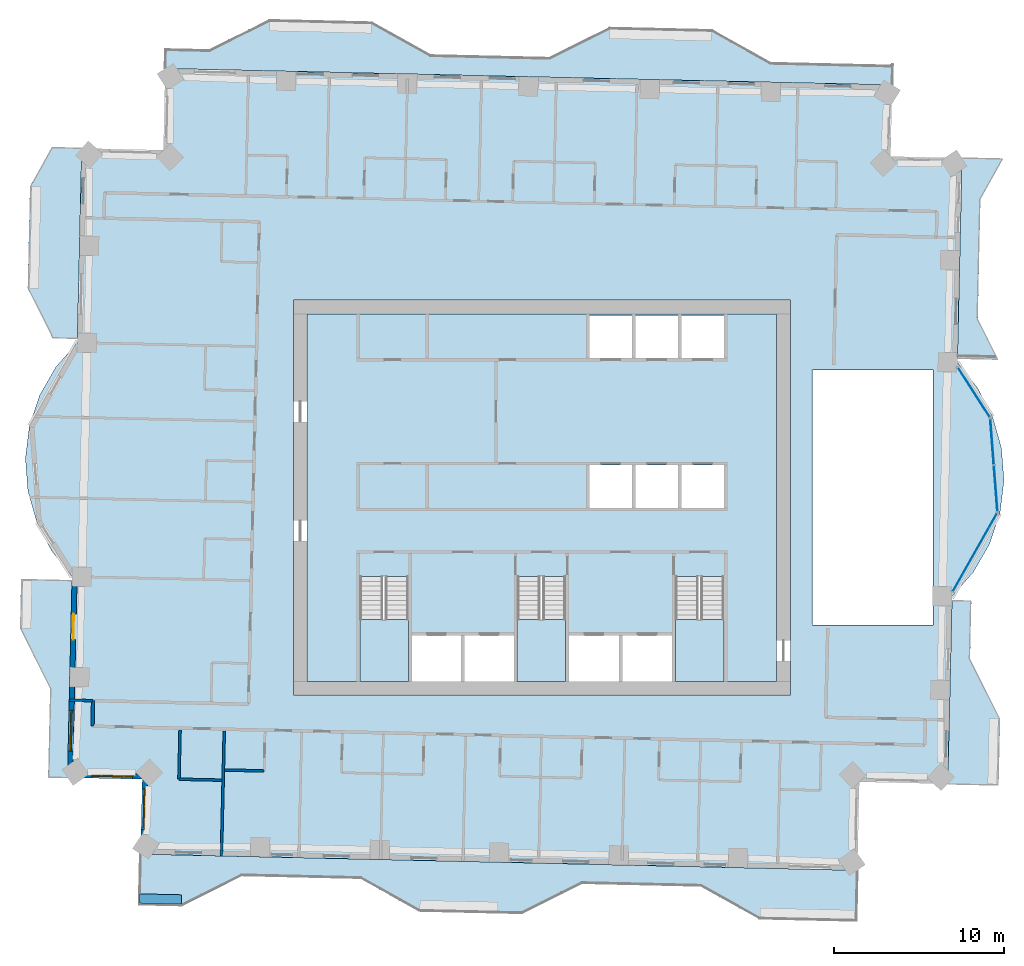
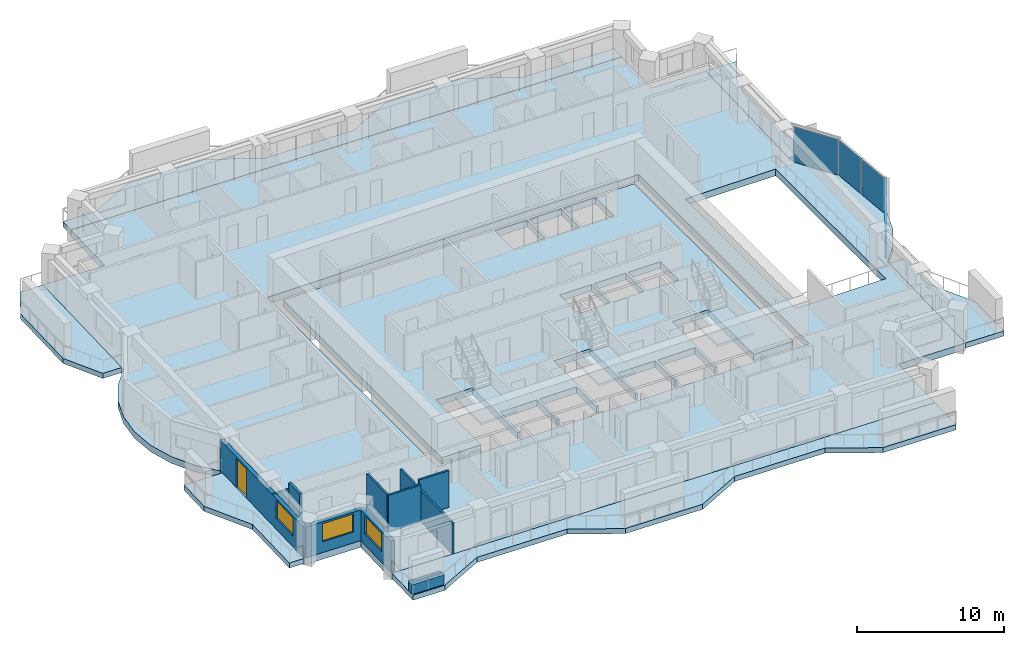
# One storey, part 5 of 16: 11 slabs, 10 walls, 4 plates, 3 windows, 1 door, 4 openings, 6 elements without a shape of their own.
"""IFC4 building model written with IfcOpenShell, lengths in metres."""

from ifc_helpers import new_model, si_unit, direction, frame, frame_2d, origin, origin_2d, place, context, subcontext, project, spatial, polyline, rectangle, outline, extrude, material, layer, layer_set, type_object, element, fill, aggregate, save


model = new_model("IFC4")

# Units and contexts
model_context = context("Model", 3, precision=1e-05, world=origin(), true_north=direction((0.0, 1.0)))
body_context = subcontext(model_context, "Body", "Model", "MODEL_VIEW")
ifc_project = project(units=[si_unit("LENGTHUNIT", "METRE"), si_unit("AREAUNIT", "SQUARE_METRE"), si_unit("VOLUMEUNIT", "CUBIC_METRE"), si_unit("PLANEANGLEUNIT", "RADIAN"), si_unit("MASSUNIT", "GRAM", prefix="KILO")], contexts=[model_context])

# Site, building, storey
site_placement = place(None, origin())
site = spatial("IfcSite", under=ifc_project, at=site_placement, CompositionType="ELEMENT")
building_placement = place(site_placement, origin())
building = spatial("IfcBuilding", under=site, at=building_placement, Name="Mangrove Gate Tower", CompositionType="ELEMENT")
storey_placement = place(building_placement, frame((0.0, 0.0, 201.5)))
storey = spatial("IfcBuildingStorey", under=building, at=storey_placement, Name="L51", CompositionType="ELEMENT", Elevation=201.5)

# Curtain wall, plate
ifc_material_1 = material(Name="Aluminium and glass curtain wall", Category="aluminium")
curtain_wall_type = type_object("IfcCurtainWallType", Name="Atrium garden-court glazing wall", PredefinedType="NOTDEFINED", material=ifc_material_1)
curtain_wall_1_placement = place(storey_placement, origin())
curtain_wall_1 = element("IfcCurtainWall", 1, at=curtain_wall_1_placement, inside=storey, type_object=curtain_wall_type, Name="Atrium garden-court glazing E1f1", PredefinedType="NOTDEFINED")
ifc_material_2 = material(Name="Laminated low-e glass", Category="glass")
ifc_layer_1 = layer(ifc_material_2, 0.031982421875)
ifc_layer_set_1 = layer_set([ifc_layer_1], Name="Atrium garden-court glazing panel 32")
plate_type = type_object("IfcPlateType", Name="Atrium garden-court glazing panel 32", PredefinedType="CURTAIN_PANEL", material=ifc_layer_set_1)
plate_1_placement = place(storey_placement, frame((25.4541015625, -3.217041015625, 0.0), z_axis=(0.0, 0.0, 1.0), x_axis=(0.492599932635, 0.870255885569, 0.0)))
plate_1 = element("IfcPlate", 2, at=plate_1_placement, type_object=plate_type, Name="CWA panel 1.1", PredefinedType="CURTAIN_PANEL", context=body_context, shape_type="SweptSolid", body=[
    extrude(rectangle(XDim=5.258544921875, YDim=0.031982421875, at=origin_2d()), origin(), (0.0, 0.0, 1.0), 2.97998046875),
])
aggregate(curtain_wall_1, [plate_1])

# Curtain wall, plates
curtain_wall_2_placement = place(storey_placement, origin())
curtain_wall_2 = element("IfcCurtainWall", 3, at=curtain_wall_2_placement, inside=storey, type_object=curtain_wall_type, Name="Atrium garden-court glazing E1f2", PredefinedType="NOTDEFINED")
plate_2_placement = place(storey_placement, frame((26.67529296875, 0.538818359375, 0.0), z_axis=(0.0, 0.0, 1.0), x_axis=(-0.077023348229, 0.997029289353, 0.0)))
plate_2 = element("IfcPlate", 4, at=plate_2_placement, type_object=plate_type, Name="CWA panel 1.1", PredefinedType="CURTAIN_PANEL", context=body_context, shape_type="SweptSolid", body=[
    extrude(rectangle(XDim=2.681640625, YDim=0.031982421875, at=origin_2d()), origin(), (0.0, 0.0, 1.0), 2.97998046875),
])
plate_3_placement = place(storey_placement, frame((26.463134765625, 3.2822265625, 0.0), z_axis=(0.0, 0.0, 1.0), x_axis=(-0.077023348229, 0.997029289353, 0.0)))
plate_3 = element("IfcPlate", 5, at=plate_3_placement, type_object=plate_type, Name="CWA panel 2.1", PredefinedType="CURTAIN_PANEL", context=body_context, shape_type="SweptSolid", body=[
    extrude(rectangle(XDim=2.681640625, YDim=0.031982421875, at=origin_2d()), origin(), (0.0, 0.0, 1.0), 2.97998046875),
])
aggregate(curtain_wall_2, [plate_2, plate_3])

# Curtain wall, plate
curtain_wall_3_placement = place(storey_placement, origin())
curtain_wall_3 = element("IfcCurtainWall", 6, at=curtain_wall_3_placement, inside=storey, type_object=curtain_wall_type, Name="Atrium garden-court glazing E1f3", PredefinedType="NOTDEFINED")
plate_4_placement = place(storey_placement, frame((25.389892578125, 6.190185546875, 0.0), z_axis=(0.0, 0.0, 1.0), x_axis=(-0.540523066602, 0.841329195067, 0.0)))
plate_4 = element("IfcPlate", 7, at=plate_4_placement, type_object=plate_type, Name="CWA panel 1.1", PredefinedType="CURTAIN_PANEL", context=body_context, shape_type="SweptSolid", body=[
    extrude(rectangle(XDim=3.428955078125, YDim=0.031982421875, at=origin_2d()), origin(), (0.0, 0.0, 1.0), 2.97998046875),
])
aggregate(curtain_wall_3, [plate_4])

# Slabs
ifc_material_3 = material(Name="Porcelain tile")
ifc_layer_2 = layer(ifc_material_3, 0.02001953125, Name="Tile finish")
ifc_material_4 = material(Name="Cement sand screed")
ifc_layer_3 = layer(ifc_material_4, 0.0400390625, Name="Screed laid to falls")
ifc_material_5 = material(Name="Bituminous waterproofing membrane")
ifc_layer_4 = layer(ifc_material_5, 0.00390625, Name="Waterproofing")
ifc_material_6 = material(Name="Concrete C40/50", Category="concrete")
ifc_layer_5 = layer(ifc_material_6, 0.340087890625, Name="Balcony structural slab")
ifc_material_7 = material(Name="Limestone", Category="masonry")
ifc_layer_6 = layer(ifc_material_7, 0.01611328125, Name="Soffit lining")
ifc_layer_set_2 = layer_set([ifc_layer_2, ifc_layer_3, ifc_layer_4, ifc_layer_5, ifc_layer_6], Name="Balcony slab 420 C40/50")
slab_type_1 = type_object("IfcSlabType", Name="Balcony slab 420 C40/50", PredefinedType="FLOOR", material=ifc_layer_set_2)
slab_1_placement = place(storey_placement, frame((0.0, 0.0, -0.419921875)))
element("IfcSlab", 8, at=slab_1_placement, inside=storey, type_object=slab_type_1, Name="BALCONY L51 E0", PredefinedType="FLOOR", context=body_context, shape_type="SweptSolid", body=[
    extrude(outline(polyline([(26.847900390625, -16.89990234375), (26.93701171875, -13.0009765625), (25.1669921875, -9.4599609375), (25.242919921875, -6.0859375), (24.10400390625, -6.06005859375), (24.027099609375, -9.43408203125), (23.947998046875, -12.93310546875), (23.85888671875, -16.83203125), (26.847900390625, -16.89990234375)])), origin(), (0.0, 0.0, 1.0), 0.419921875),
])
slab_2_placement = place(storey_placement, frame((0.0, 0.0, -0.419921875)))
element("IfcSlab", 9, at=slab_2_placement, inside=storey, type_object=slab_type_1, Name="BALCONY L51 E1", PredefinedType="FLOOR", context=body_context, shape_type="SweptSolid", body=[
    extrude(outline(polyline([(26.822021484375, 8.132080078125), (25.62109375, 10.534912109375), (25.779052734375, 17.532958984375), (27.10205078125, 19.904052734375), (24.694091796875, 19.9580078125), (24.639892578125, 17.55908203125), (24.48095703125, 10.56103515625), (24.427001953125, 8.18701171875), (26.822021484375, 8.132080078125)])), origin(), (0.0, 0.0, 1.0), 0.419921875),
])
slab_3_placement = place(storey_placement, frame((0.0, 0.0, -0.419921875)))
element("IfcSlab", 10, at=slab_3_placement, inside=storey, type_object=slab_type_1, Name="BALCONY L51 N0", PredefinedType="FLOOR", context=body_context, shape_type="SweptSolid", body=[
    extrude(outline(polyline([(20.617919921875, 25.48291015625), (20.444091796875, 25.39599609375), (13.446044921875, 25.554931640625), (9.989013671875, 27.48388671875), (3.990966796875, 27.6201171875), (0.449951171875, 25.85009765625), (-0.75, 25.876953125), (-6.549072265625, 26.009033203125), (-10.006103515625, 27.93701171875), (-16.00390625, 28.073974609375), (-19.544921875, 26.303955078125), (-22.116943359375, 26.362060546875), (-22.14208984375, 25.221923828125), (20.590087890625, 24.251953125), (20.617919921875, 25.48291015625)])), origin(), (0.0, 0.0, 1.0), 0.419921875),
])
slab_4_placement = place(storey_placement, frame((0.0, 0.0, -0.419921875)))
element("IfcSlab", 11, at=slab_4_placement, inside=storey, type_object=slab_type_1, Name="BALCONY L51 W0", PredefinedType="FLOOR", context=body_context, shape_type="SweptSolid", body=[
    extrude(outline(polyline([(-28.823974609375, 20.572998046875), (-30.092041015625, 18.301025390625), (-30.22802734375, 12.302001953125), (-28.77392578125, 9.39404296875), (-27.303955078125, 9.360107421875), (-27.238037109375, 12.23388671875), (-27.10205078125, 18.23291015625), (-27.050048828125, 20.531982421875), (-28.823974609375, 20.572998046875)])), origin(), (0.0, 0.0, 1.0), 0.419921875),
])
slab_5_placement = place(storey_placement, frame((0.0, 0.0, -0.419921875)))
element("IfcSlab", 12, at=slab_5_placement, inside=storey, type_object=slab_type_1, Name="BALCONY L51 W1", PredefinedType="FLOOR", context=body_context, shape_type="SweptSolid", body=[
    extrude(outline(polyline([(-30.615966796875, -4.819091796875), (-30.680908203125, -7.693115234375), (-28.910888671875, -11.23388671875), (-29.029052734375, -16.431884765625), (-27.889892578125, -16.4580078125), (-27.77197265625, -11.260009765625), (-27.69189453125, -7.760009765625), (-27.626953125, -4.886962890625), (-30.615966796875, -4.819091796875)])), origin(), (0.0, 0.0, 1.0), 0.419921875),
])
slab_6_placement = place(storey_placement, frame((0.0, 0.0, -0.419921875)))
element("IfcSlab", 13, at=slab_6_placement, inside=storey, type_object=slab_type_1, Name="BALCONY L51 S0", PredefinedType="FLOOR", context=body_context, shape_type="SweptSolid", body=[
    extrude(outline(polyline([(-23.657958984375, -23.946044921875), (-21.18701171875, -24.001953125), (-17.64599609375, -22.23193359375), (-10.64794921875, -22.39111328125), (-7.19091796875, -24.320068359375), (-1.19189453125, -24.4560546875), (2.34912109375, -22.68701171875), (9.346923828125, -22.844970703125), (12.803955078125, -24.77392578125), (18.47509765625, -24.902099609375), (18.54296875, -21.9130859375), (-23.591064453125, -20.95703125), (-23.657958984375, -23.946044921875)])), origin(), (0.0, 0.0, 1.0), 0.419921875),
])
ifc_material_8 = material(Name="Concrete C40/50", Category="concrete")
ifc_layer_7 = layer(ifc_material_8, 0.550048828125)
ifc_layer_set_3 = layer_set([ifc_layer_7], Name="Core floor slab 550 C40/50")
slab_type_2 = type_object("IfcSlabType", Name="Core floor slab 550 C40/50", PredefinedType="FLOOR", material=ifc_layer_set_3)
slab_7_placement = place(storey_placement, frame((0.0, 0.0, -0.550048828125)))
element("IfcSlab", 14, at=slab_7_placement, inside=storey, type_object=slab_type_2, Name="SLAB-L51-CORE-1", PredefinedType="FLOOR", context=body_context, shape_type="SweptSolid", body=[
    extrude(outline(polyline([(-13.800048828125, -10.800048828125), (-13.800048828125, 10.800048828125), (13.800048828125, 10.800048828125), (13.800048828125, -10.800048828125), (10.699951171875, -10.800048828125), (10.699951171875, -4.653076171875), (7.85009765625, -4.653076171875), (7.85009765625, -10.800048828125), (7.64990234375, -10.800048828125), (7.64990234375, -8.10009765625), (4.72509765625, -8.10009765625), (4.72509765625, -10.800048828125), (4.52490234375, -10.800048828125), (4.52490234375, -8.10009765625), (1.60009765625, -8.10009765625), (1.60009765625, -10.800048828125), (1.39990234375, -10.800048828125), (1.39990234375, -4.653076171875), (-1.449951171875, -4.653076171875), (-1.449951171875, -10.800048828125), (-1.64990234375, -10.800048828125), (-1.64990234375, -8.10009765625), (-4.550048828125, -8.10009765625), (-4.550048828125, -10.800048828125), (-4.75, -10.800048828125), (-4.75, -8.10009765625), (-7.64990234375, -8.10009765625), (-7.64990234375, -10.800048828125), (-7.85009765625, -10.800048828125), (-7.85009765625, -4.653076171875), (-10.699951171875, -4.653076171875), (-10.699951171875, -10.800048828125), (-13.800048828125, -10.800048828125)]), holes=[polyline([(5.300048828125, -0.60009765625), (5.300048828125, 1.89990234375), (2.800048828125, 1.89990234375), (2.800048828125, -0.60009765625), (5.300048828125, -0.60009765625)]), polyline([(5.300048828125, 10.699951171875), (2.800048828125, 10.699951171875), (2.800048828125, 8.199951171875), (5.300048828125, 8.199951171875), (5.300048828125, 10.699951171875)]), polyline([(8.0, -0.60009765625), (8.0, 1.89990234375), (5.5, 1.89990234375), (5.5, -0.60009765625), (8.0, -0.60009765625)]), polyline([(10.699951171875, -0.60009765625), (10.699951171875, 1.89990234375), (8.199951171875, 1.89990234375), (8.199951171875, -0.60009765625), (10.699951171875, -0.60009765625)]), polyline([(8.0, 8.199951171875), (8.0, 10.699951171875), (5.5, 10.699951171875), (5.5, 8.199951171875), (8.0, 8.199951171875)]), polyline([(10.699951171875, 8.199951171875), (10.699951171875, 10.699951171875), (8.199951171875, 10.699951171875), (8.199951171875, 8.199951171875), (10.699951171875, 8.199951171875)])]), origin(), (0.0, 0.0, 1.0), 0.550048828125),
])

# Stair, slab
ifc_material_9 = material(Name="Concrete C40/50", Category="concrete")
stair_type = type_object("IfcStairType", Name="Core stair 1350", PredefinedType="HALF_TURN_STAIR", material=ifc_material_9)
stair_1_placement = place(storey_placement, origin())
stair_1 = element("IfcStair", 15, at=stair_1_placement, inside=storey, type_object=stair_type, Name="L51 Stair 1", PredefinedType="HALF_TURN_STAIR")
ifc_material_10 = material(Name="Concrete C40/50", Category="concrete")
ifc_layer_8 = layer(ifc_material_10, 0.199951171875)
ifc_layer_set_4 = layer_set([ifc_layer_8], Name="Core stair landing 200")
slab_type_3 = type_object("IfcSlabType", Name="Core stair landing 200", PredefinedType="LANDING", material=ifc_layer_set_4)
slab_8_placement = place(storey_placement, frame((0.0, 0.0, 1.60009765625)))
slab_8 = element("IfcSlab", 16, at=slab_8_placement, type_object=slab_type_3, Name="ST1 landing 1", PredefinedType="LANDING", context=body_context, shape_type="SweptSolid", body=[
    extrude(outline(polyline([(-10.699951171875, -7.169921875), (-10.699951171875, -10.800048828125), (-7.85009765625, -10.800048828125), (-7.85009765625, -7.169921875), (-10.699951171875, -7.169921875)])), origin(), (0.0, 0.0, 1.0), 0.199951171875),
])
aggregate(stair_1, [slab_8])

stair_2_placement = place(storey_placement, origin())
stair_2 = element("IfcStair", 17, at=stair_2_placement, inside=storey, type_object=stair_type, Name="L51 Stair 2", PredefinedType="HALF_TURN_STAIR")
slab_9_placement = place(storey_placement, frame((0.0, 0.0, 1.60009765625)))
slab_9 = element("IfcSlab", 18, at=slab_9_placement, type_object=slab_type_3, Name="ST2 landing 1", PredefinedType="LANDING", context=body_context, shape_type="SweptSolid", body=[
    extrude(outline(polyline([(-1.449951171875, -7.169921875), (-1.449951171875, -10.800048828125), (1.39990234375, -10.800048828125), (1.39990234375, -7.169921875), (-1.449951171875, -7.169921875)])), origin(), (0.0, 0.0, 1.0), 0.199951171875),
])
aggregate(stair_2, [slab_9])

stair_3_placement = place(storey_placement, origin())
stair_3 = element("IfcStair", 19, at=stair_3_placement, inside=storey, type_object=stair_type, Name="L51 Stair 3", PredefinedType="HALF_TURN_STAIR")
slab_10_placement = place(storey_placement, frame((0.0, 0.0, 1.60009765625)))
slab_10 = element("IfcSlab", 20, at=slab_10_placement, type_object=slab_type_3, Name="ST3 landing 1", PredefinedType="LANDING", context=body_context, shape_type="SweptSolid", body=[
    extrude(outline(polyline([(7.85009765625, -7.169921875), (7.85009765625, -10.800048828125), (10.699951171875, -10.800048828125), (10.699951171875, -7.169921875), (7.85009765625, -7.169921875)])), origin(), (0.0, 0.0, 1.0), 0.199951171875),
])
aggregate(stair_3, [slab_10])

# Slab
ifc_material_11 = material(Name="Concrete C40/50", Category="concrete")
ifc_layer_9 = layer(ifc_material_11, 0.550048828125)
ifc_layer_set_5 = layer_set([ifc_layer_9], Name="Floor slab 550 C40/50")
slab_type_4 = type_object("IfcSlabType", Name="Floor slab 550 C40/50", PredefinedType="FLOOR", material=ifc_layer_set_5)
slab_11_placement = place(storey_placement, frame((0.0, 0.0, -0.550048828125)))
element("IfcSlab", 21, at=slab_11_placement, inside=storey, type_object=slab_type_4, Name="Floor slab L51", PredefinedType="FLOOR", context=body_context, shape_type="SweptSolid", body=[
    extrude(outline(polyline([(-23.590576171875, -20.95703125), (18.54248046875, -21.9130859375), (18.66064453125, -16.71435546875), (23.859130859375, -16.832275390625), (24.109375, -5.810546875), (25.372314453125, -4.3740234375), (26.325439453125, -2.715576171875), (26.930908203125, -0.901123046875), (27.16455078125, 0.997314453125), (27.017333984375, 2.904296875), (26.494873046875, 4.744384765625), (25.617919921875, 6.4443359375), (24.42138671875, 7.9365234375), (24.694091796875, 19.958251953125), (20.4951171875, 20.053466796875), (20.590576171875, 24.25244140625), (-22.142578125, 25.22216796875), (-22.25146484375, 20.42333984375), (-27.050048828125, 20.5322265625), (-27.309326171875, 9.110595703125), (-28.572265625, 7.674072265625), (-29.525390625, 6.015625), (-30.130859375, 4.201171875), (-30.364501953125, 2.302734375), (-30.21728515625, 0.395751953125), (-29.69482421875, -1.4443359375), (-28.81787109375, -3.144287109375), (-27.621337890625, -4.636474609375), (-27.8896484375, -16.458251953125), (-23.49072265625, -16.55810546875), (-23.590576171875, -20.95703125)]), holes=[polyline([(15.89990234375, 7.5), (22.9951171875, 7.5), (22.9951171875, -7.5), (15.89990234375, -7.5), (15.89990234375, 7.5)]), polyline([(-14.60009765625, -11.60009765625), (-14.60009765625, 11.60009765625), (14.60009765625, 11.60009765625), (14.60009765625, -11.60009765625), (-14.60009765625, -11.60009765625)])]), origin(), (0.0, 0.0, 1.0), 0.550048828125),
])

# Wall
ifc_material_12 = material(Name="Gypsum board on steel stud, EI 60", Category="steel")
ifc_layer_10 = layer(ifc_material_12, 0.199951171875)
ifc_layer_set_6 = layer_set([ifc_layer_10], Name="Corridor wall EI 60")
wall_type_1 = type_object("IfcWallType", Name="Corridor wall EI 60", PredefinedType="PARTITIONING", material=ifc_layer_set_6)
wall_1_placement = place(storey_placement, frame((-26.4189453125, -13.44091796875, 0.0), z_axis=(0.0, 0.0, 1.0), x_axis=(0.022617910375, 0.999744182344, 0.0)))
element("IfcWall", 22, at=wall_1_placement, inside=storey, type_object=wall_type_1, Name="WALL-L51-025", PredefinedType="PARTITIONING", context=body_context, shape_type="SweptSolid", body=[
    extrude(rectangle(XDim=1.50048828125, YDim=0.199951171875, at=frame_2d((0.750244140625, 0.0))), origin(), (0.0, 0.0, 1.0), 3.050048828125),
])

# Wall, openings, door, window
ifc_layer_11 = layer(ifc_material_7, 0.0400390625, Name="Limestone cladding")
ifc_material_13 = material(Name="Ventilated air gap")
ifc_layer_12 = layer(ifc_material_13, 0.0400390625, Name="Ventilated cavity")
ifc_material_14 = material(Name="Mineral wool insulation")
ifc_layer_13 = layer(ifc_material_14, 0.06005859375, Name="Insulation")
ifc_material_15 = material(Name="Breather membrane")
ifc_layer_14 = layer(ifc_material_15, 0.001953125, Name="Breather membrane")
ifc_material_16 = material(Name="Concrete C20/25 blockwork", Category="masonry")
ifc_layer_15 = layer(ifc_material_16, 0.14990234375, Name="Blockwork backing wall")
ifc_material_17 = material(Name="Gypsum plaster")
ifc_layer_16 = layer(ifc_material_17, 0.008056640625, Name="Internal plaster")
ifc_layer_set_7 = layer_set([ifc_layer_11, ifc_layer_12, ifc_layer_13, ifc_layer_14, ifc_layer_15, ifc_layer_16], Name="External wall 300 limestone cladding")
wall_type_2 = type_object("IfcWallType", Name="External wall 300 limestone cladding", PredefinedType="SOLIDWALL", material=ifc_layer_set_7)
wall_2_placement = place(storey_placement, frame((-27.469970703125, -4.5849609375, 0.0), z_axis=(0.0, 0.0, 1.0), x_axis=(-0.022686419344, -0.999742630069, 0.0)))
wall_2 = element("IfcWall", 23, at=wall_2_placement, inside=storey, type_object=wall_type_2, Name="WALL-L51-W10", PredefinedType="SOLIDWALL", context=body_context, shape_type="SweptSolid", body=[
    extrude(rectangle(XDim=11.72998046875, YDim=0.300048828125, at=frame_2d((5.864990234375, 0.0))), origin(), (0.0, 0.0, 1.0), 2.550048828125),
])
opening_1_placement = place(wall_2_placement, frame((2.260986328125, 0.0, 0.0)))
opening_1 = element("IfcOpeningElement", 24, at=opening_1_placement, cuts=wall_2, Name="Opening BD1", PredefinedType="OPENING", context=body_context, shape_type="SweptSolid", body=[
    extrude(rectangle(XDim=1.5, YDim=2.39990234375, at=frame_2d((0.75, 1.199951171875))), frame((0.0, 0.159912109375, 0.0), z_axis=(0.0, -1.0, 0.0), x_axis=(1.0, 0.0, 0.0)), (0.0, 0.0, 1.0), 0.320068359375),
])
opening_2_placement = place(wall_2_placement, frame((7.929931640625, 0.0, 0.89990234375)))
opening_2 = element("IfcOpeningElement", 25, at=opening_2_placement, cuts=wall_2, Name="Opening W2", PredefinedType="OPENING", context=body_context, shape_type="SweptSolid", body=[
    extrude(rectangle(XDim=2.39990234375, YDim=1.5, at=frame_2d((1.199951171875, 0.75))), frame((0.0, 0.159912109375, 0.0), z_axis=(0.0, -1.0, 0.0), x_axis=(1.0, 0.0, 0.0)), (0.0, 0.0, 1.0), 0.320068359375),
])
ifc_material_18 = material(Name="Aluminium frame with laminated clear glass", Category="aluminium")
door_type = type_object("IfcDoorType", Name="Balcony sliding door 1500x2400", OperationType="SLIDING_TO_LEFT", PredefinedType="DOOR", material=ifc_material_18)
door_placement = place(opening_1_placement, origin())
door = element("IfcDoor", 26, at=door_placement, inside=storey, type_object=door_type, Name="DOOR-L51-W10-1", OperationType="SLIDING_TO_LEFT", OverallHeight=2.39990234375, OverallWidth=1.5, PredefinedType="DOOR", context=body_context, shape_type="SweptSolid", body=[
    extrude(rectangle(XDim=1.5, YDim=2.39990234375, at=frame_2d((0.75, 1.199951171875))), frame((0.0, 0.02490234375, 0.0), z_axis=(0.0, -1.0, 0.0), x_axis=(1.0, 0.0, 0.0)), (0.0, 0.0, 1.0), 0.050048828125),
])
fill(opening_1, door)
ifc_material_19 = material(Name="Aluminium frame with double-glazed low-e glass", Category="aluminium")
window_type = type_object("IfcWindowType", Name="Corner room window 2400x1500", PartitioningType="DOUBLE_PANEL_VERTICAL", PredefinedType="WINDOW", material=ifc_material_19)
window_1_placement = place(opening_2_placement, origin())
window_1 = element("IfcWindow", 27, at=window_1_placement, inside=storey, type_object=window_type, Name="WIN-L51-W10-2", OverallHeight=1.5, OverallWidth=2.39990234375, PartitioningType="DOUBLE_PANEL_VERTICAL", PredefinedType="WINDOW", context=body_context, shape_type="SweptSolid", body=[
    extrude(rectangle(XDim=2.39990234375, YDim=1.5, at=frame_2d((1.199951171875, 0.75))), frame((0.0, 0.030029296875, 0.0), z_axis=(0.0, -1.0, 0.0), x_axis=(1.0, 0.0, 0.0)), (0.0, 0.0, 1.0), 0.06005859375),
])
fill(opening_2, window_1)

# Wall, opening, window
wall_3_placement = place(storey_placement, frame((-27.736083984375, -16.31201171875, 0.0), z_axis=(0.0, 0.0, 1.0), x_axis=(0.999747504193, -0.022470599878, 0.0)))
wall_3 = element("IfcWall", 28, at=wall_3_placement, inside=storey, type_object=wall_type_2, Name="WALL-L51-S11", PredefinedType="SOLIDWALL", context=body_context, shape_type="SweptSolid", body=[
    extrude(rectangle(XDim=4.400390625, YDim=0.300048828125, at=frame_2d((2.2001953125, 0.0))), origin(), (0.0, 0.0, 1.0), 2.550048828125),
])
opening_3_placement = place(wall_3_placement, frame((1.279052734375, 0.0, 0.89990234375)))
opening_3 = element("IfcOpeningElement", 29, at=opening_3_placement, cuts=wall_3, Name="Opening W2", PredefinedType="OPENING", context=body_context, shape_type="SweptSolid", body=[
    extrude(rectangle(XDim=2.39990234375, YDim=1.5, at=frame_2d((1.199951171875, 0.75))), frame((0.0, 0.159912109375, 0.0), z_axis=(0.0, -1.0, 0.0), x_axis=(1.0, 0.0, 0.0)), (0.0, 0.0, 1.0), 0.320068359375),
])
window_2_placement = place(opening_3_placement, origin())
window_2 = element("IfcWindow", 30, at=window_2_placement, inside=storey, type_object=window_type, Name="WIN-L51-S11-1", OverallHeight=1.5, OverallWidth=2.39990234375, PartitioningType="DOUBLE_PANEL_VERTICAL", PredefinedType="WINDOW", context=body_context, shape_type="SweptSolid", body=[
    extrude(rectangle(XDim=2.39990234375, YDim=1.5, at=frame_2d((1.199951171875, 0.75))), frame((0.0, 0.030029296875, 0.0), z_axis=(0.0, -1.0, 0.0), x_axis=(1.0, 0.0, 0.0)), (0.0, 0.0, 1.0), 0.06005859375),
])
fill(opening_3, window_2)

wall_4_placement = place(storey_placement, frame((-23.3369140625, -16.410888671875, 0.0), z_axis=(0.0, 0.0, 1.0), x_axis=(-0.022747872013, -0.999741233679, 0.0)))
wall_4 = element("IfcWall", 31, at=wall_4_placement, inside=storey, type_object=wall_type_2, Name="WALL-L51-W12", PredefinedType="SOLIDWALL", context=body_context, shape_type="SweptSolid", body=[
    extrude(rectangle(XDim=4.400390625, YDim=0.300048828125, at=frame_2d((2.2001953125, 0.0))), origin(), (0.0, 0.0, 1.0), 2.550048828125),
])
opening_4_placement = place(wall_4_placement, frame((0.712890625, 0.0, 0.89990234375)))
opening_4 = element("IfcOpeningElement", 32, at=opening_4_placement, cuts=wall_4, Name="Opening W2", PredefinedType="OPENING", context=body_context, shape_type="SweptSolid", body=[
    extrude(rectangle(XDim=2.39990234375, YDim=1.5, at=frame_2d((1.199951171875, 0.75))), frame((0.0, 0.159912109375, 0.0), z_axis=(0.0, -1.0, 0.0), x_axis=(1.0, 0.0, 0.0)), (0.0, 0.0, 1.0), 0.320068359375),
])
window_3_placement = place(opening_4_placement, origin())
window_3 = element("IfcWindow", 33, at=window_3_placement, inside=storey, type_object=window_type, Name="WIN-L51-W12-1", OverallHeight=1.5, OverallWidth=2.39990234375, PartitioningType="DOUBLE_PANEL_VERTICAL", PredefinedType="WINDOW", context=body_context, shape_type="SweptSolid", body=[
    extrude(rectangle(XDim=2.39990234375, YDim=1.5, at=frame_2d((1.199951171875, 0.75))), frame((0.0, 0.030029296875, 0.0), z_axis=(0.0, -1.0, 0.0), x_axis=(1.0, 0.0, 0.0)), (0.0, 0.0, 1.0), 0.06005859375),
])
fill(opening_4, window_3)

# Walls
ifc_material_20 = material(Name="Gypsum board on steel stud, EI 60", Category="steel")
ifc_layer_17 = layer(ifc_material_20, 0.14990234375)
ifc_layer_set_8 = layer_set([ifc_layer_17], Name="Party wall 150 EI 60")
wall_type_3 = type_object("IfcWallType", Name="Party wall 150 EI 60", PredefinedType="PARTITIONING", material=ifc_layer_set_8)
wall_5_placement = place(storey_placement, frame((-18.840087890625, -21.06494140625, 0.0), z_axis=(0.0, 0.0, 1.0), x_axis=(0.022720650804, 0.999741852694, 0.0)))
element("IfcWall", 34, at=wall_5_placement, inside=storey, type_object=wall_type_3, Name="WALL-L51-001", PredefinedType="PARTITIONING", context=body_context, shape_type="SweptSolid", body=[
    extrude(rectangle(XDim=7.349853515625, YDim=0.14990234375, at=frame_2d((3.6748046875, 0.0))), origin(), (0.0, 0.0, 1.0), 2.550048828125),
])
wall_6_placement = place(storey_placement, frame((-21.340087890625, -16.556884765625, 0.0), z_axis=(0.0, 0.0, 1.0), x_axis=(0.999743977673, -0.022626955293, 0.0)))
element("IfcWall", 35, at=wall_6_placement, inside=storey, type_object=wall_type_3, Name="WALL-L51-009", PredefinedType="PARTITIONING", context=body_context, shape_type="SweptSolid", body=[
    extrude(rectangle(XDim=2.52490234375, YDim=0.14990234375, at=frame_2d((1.262451171875, 0.0))), origin(), (0.0, 0.0, 1.0), 3.050048828125),
])
wall_7_placement = place(storey_placement, frame((-21.337890625, -16.556884765625, 0.0), z_axis=(0.0, 0.0, 1.0), x_axis=(0.022732880677, 0.999741574676, 0.0)))
element("IfcWall", 36, at=wall_7_placement, inside=storey, type_object=wall_type_3, Name="WALL-L51-010", PredefinedType="PARTITIONING", context=body_context, shape_type="SweptSolid", body=[
    extrude(rectangle(XDim=2.899658203125, YDim=0.14990234375, at=frame_2d((1.44970703125, 0.0))), origin(), (0.0, 0.0, 1.0), 3.050048828125),
])
wall_8_placement = place(storey_placement, frame((-18.652099609375, -16.01806640625, 0.0), z_axis=(0.0, 0.0, 1.0), x_axis=(0.999749797124, -0.022368351553, 0.0)))
element("IfcWall", 37, at=wall_8_placement, inside=storey, type_object=wall_type_3, Name="WALL-L51-013", PredefinedType="PARTITIONING", context=body_context, shape_type="SweptSolid", body=[
    extrude(rectangle(XDim=2.32470703125, YDim=0.14990234375, at=frame_2d((1.162353515625, 0.0))), origin(), (0.0, 0.0, 1.0), 3.050048828125),
])
wall_9_placement = place(storey_placement, frame((-27.785888671875, -11.908935546875, 0.0), z_axis=(0.0, 0.0, 1.0), x_axis=(0.999740216184, -0.022792545827, 0.0)))
element("IfcWall", 38, at=wall_9_placement, inside=storey, type_object=wall_type_3, Name="WALL-L51-027", PredefinedType="PARTITIONING", context=body_context, shape_type="SweptSolid", body=[
    extrude(rectangle(XDim=1.403076171875, YDim=0.14990234375, at=frame_2d((0.70166015625, 0.0))), origin(), (0.0, 0.0, 1.0), 2.550048828125),
])
ifc_material_21 = material(Name="Concrete C32/40", Category="concrete")
ifc_layer_18 = layer(ifc_material_21, 0.199951171875, Name="Planter trough wall")
ifc_layer_19 = layer(ifc_material_5, 0.0048828125, Name="Waterproofing")
ifc_material_22 = material(Name="Drainage board and gravel")
ifc_layer_20 = layer(ifc_material_22, 0.044921875, Name="Drainage layer")
ifc_material_23 = material(Name="Planting soil")
ifc_layer_21 = layer(ifc_material_23, 0.300048828125, Name="Growing medium")
ifc_layer_set_9 = layer_set([ifc_layer_18, ifc_layer_19, ifc_layer_20, ifc_layer_21], Name="Planter wall 550 C32/40")
wall_type_4 = type_object("IfcWallType", Name="Planter wall 550 C32/40", PredefinedType="USERDEFINED", material=ifc_layer_set_9)
wall_10_placement = place(storey_placement, frame((-23.64990234375, -23.571044921875, 0.0), z_axis=(0.0, 0.0, 1.0), x_axis=(0.999744125264, -0.022620433227, 0.0)))
element("IfcWall", 39, at=wall_10_placement, inside=storey, type_object=wall_type_4, Name="PLANTER L51 S0.1", ObjectType="PLANTER", PredefinedType="USERDEFINED", context=body_context, shape_type="SweptSolid", body=[
    extrude(rectangle(XDim=2.4716796875, YDim=0.550048828125, at=frame_2d((1.23583984375, 0.0))), origin(), (0.0, 0.0, 1.0), 0.800048828125),
])

save(model, "model.ifc")
